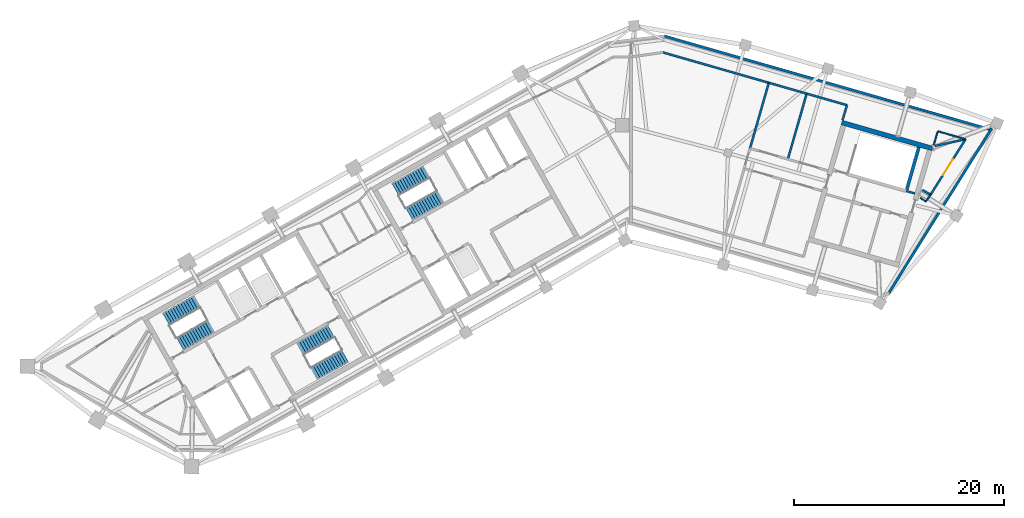
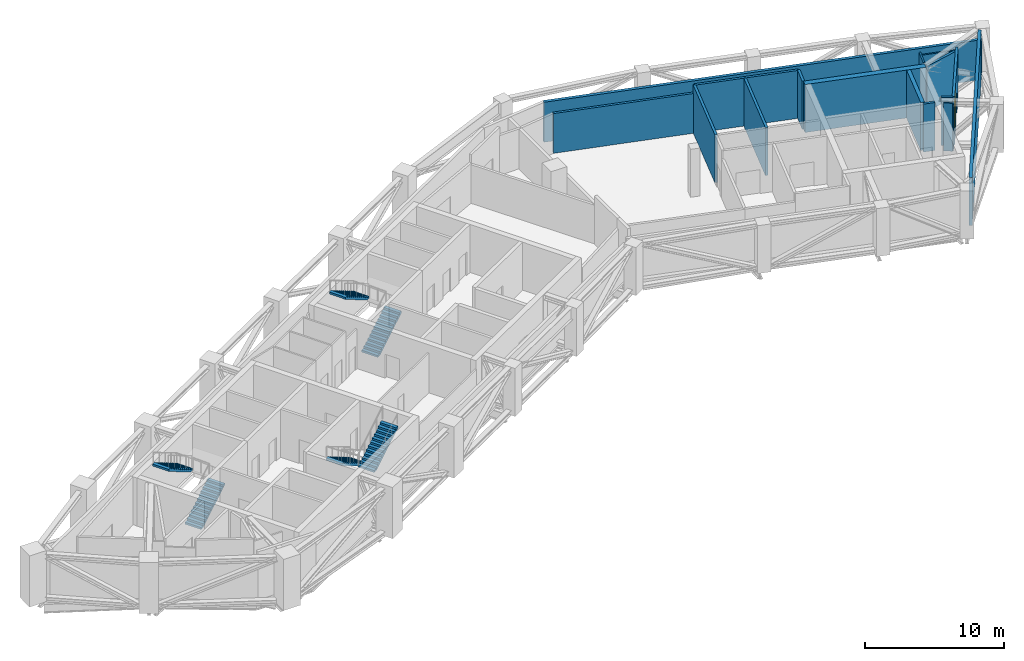
# One storey, part 11 of 13: 18 walls, 6 stair flights, 1 door, 1 opening, 3 elements without a shape of their own.
"""IFC4 building model written with IfcOpenShell, lengths in metres."""

from ifc_helpers import new_model, si_unit, direction, frame, frame_2d, origin, place, context, subcontext, project, spatial, polyline, rectangle, outline, extrude, material, layer, layer_set, type_object, element, fill, aggregate, save


model = new_model("IFC4")

# Units and contexts
model_context = context("Model", 3, precision=1e-05, world=origin(), true_north=direction((0.0, 1.0)))
body_context = subcontext(model_context, "Body", "Model", "MODEL_VIEW")
ifc_project = project(units=[si_unit("LENGTHUNIT", "METRE"), si_unit("AREAUNIT", "SQUARE_METRE"), si_unit("VOLUMEUNIT", "CUBIC_METRE"), si_unit("PLANEANGLEUNIT", "RADIAN"), si_unit("MASSUNIT", "GRAM", prefix="KILO")], contexts=[model_context])

# Site, building, storey
site_placement = place(None, origin())
site = spatial("IfcSite", under=ifc_project, at=site_placement, CompositionType="ELEMENT")
building_placement = place(site_placement, origin())
building = spatial("IfcBuilding", under=site, at=building_placement, Name="Binnacle Exchange Tower", CompositionType="ELEMENT")
storey_placement = place(building_placement, frame((0.0, 0.0, 258.199951171875)))
storey = spatial("IfcBuildingStorey", under=building, at=storey_placement, Name="L57", CompositionType="ELEMENT", Elevation=258.199951171875)

# Walls
ifc_material_1 = material(Name="Concrete C70/85", Category="concrete")
ifc_layer_1 = layer(ifc_material_1, 0.449951171875)
ifc_layer_set_1 = layer_set([ifc_layer_1], Name="Core wall - outer 450")
wall_type_1 = type_object("IfcWallType", Name="Core wall - outer 450", PredefinedType="SOLIDWALL", material=ifc_layer_set_1)
wall_1_placement = place(storey_placement, frame((20.073486328125, 60.251708984375, 0.0), z_axis=(0.0, 0.0, 1.0), x_axis=(0.96126248289, -0.275634611374, 0.0)))
element("IfcWall", 1, at=wall_1_placement, inside=storey, type_object=wall_type_1, Name="Core wall CRWD6", PredefinedType="SOLIDWALL", context=body_context, shape_type="SweptSolid", body=[
    extrude(rectangle(XDim=9.0, YDim=0.449951171875, at=frame_2d((4.5, 0.0))), origin(), (0.0, 0.0, 1.0), 4.219970703125),
])
ifc_layer_2 = layer(ifc_material_1, 0.300048828125)
ifc_layer_set_2 = layer_set([ifc_layer_2], Name="Core wall - stair 300")
wall_type_2 = type_object("IfcWallType", Name="Core wall - stair 300", PredefinedType="SOLIDWALL", material=ifc_layer_set_2)
wall_2_placement = place(storey_placement, frame((26.255615234375, 53.875732421875, 0.0), z_axis=(0.0, 0.0, 1.0), x_axis=(0.275588560745, 0.96127568636, 0.0)))
element("IfcWall", 2, at=wall_2_placement, inside=storey, type_object=wall_type_2, Name="Core wall CRWD11", PredefinedType="SOLIDWALL", context=body_context, shape_type="SweptSolid", body=[
    extrude(rectangle(XDim=4.199951171875, YDim=0.300048828125, at=frame_2d((2.10009765625, 0.0))), origin(), (0.0, 0.0, 1.0), 4.219970703125),
])
ifc_material_2 = material(Name="Bronze aluminium louvre", Category="aluminium")
ifc_layer_3 = layer(ifc_material_2, 0.25)
ifc_layer_set_3 = layer_set([ifc_layer_3], Name="External wall - plant floor louvre 250")
wall_type_3 = type_object("IfcWallType", Name="External wall - plant floor louvre 250", PredefinedType="STANDARD", material=ifc_layer_set_3)
wall_3_placement = place(storey_placement, frame((34.364013671875, 59.71142578125, 0.0), z_axis=(0.0, 0.0, 1.0), x_axis=(-0.529923238965, -0.848045612455, 0.0)))
element("IfcWall", 3, at=wall_3_placement, inside=storey, type_object=wall_type_3, Name="External wall EW-Gm03 L57", PredefinedType="STANDARD", context=body_context, shape_type="SweptSolid", body=[
    extrude(rectangle(XDim=18.5537109375, YDim=0.25, at=frame_2d((9.27685546875, 0.0))), origin(), (0.0, 0.0, 1.0), 4.219970703125),
])
wall_4_placement = place(storey_placement, frame((3.134521484375, 68.50048828125, 0.0), z_axis=(0.0, 0.0, 1.0), x_axis=(0.961262369705, -0.275635006103, 0.0)))
element("IfcWall", 4, at=wall_4_placement, inside=storey, type_object=wall_type_3, Name="External wall EW-Gm04 L57", PredefinedType="STANDARD", context=body_context, shape_type="SweptSolid", body=[
    extrude(rectangle(XDim=32.5625, YDim=0.25, at=frame_2d((16.28125, 0.0))), origin(), (0.0, 0.0, 1.0), 3.52001953125),
])
ifc_material_3 = material(Name="Masonry block wall", Category="masonry")
ifc_layer_4 = layer(ifc_material_3, 0.199951171875)
ifc_layer_set_4 = layer_set([ifc_layer_4], Name="Fire wall - block 200")
wall_type_4 = type_object("IfcWallType", Name="Fire wall - block 200", PredefinedType="PARTITIONING", material=ifc_layer_set_4)
wall_5_placement = place(storey_placement, frame((3.029052734375, 66.93408203125, 0.0), z_axis=(0.0, 0.0, 1.0), x_axis=(0.961263796718, -0.275630029421, 0.0)))
element("IfcWall", 5, at=wall_5_placement, inside=storey, type_object=wall_type_4, Name="Partition W37", PredefinedType="PARTITIONING", context=body_context, shape_type="SweptSolid", body=[
    extrude(rectangle(XDim=10.499755859375, YDim=0.199951171875, at=frame_2d((5.25, 0.0))), origin(), (0.0, 0.0, 1.0), 3.5),
])
wall_6_placement = place(storey_placement, frame((11.330078125, 57.791015625, 0.0), z_axis=(0.0, 0.0, 1.0), x_axis=(0.27565349575, 0.96125706774, 0.0)))
element("IfcWall", 6, at=wall_6_placement, inside=storey, type_object=wall_type_4, Name="Partition W42", PredefinedType="PARTITIONING", context=body_context, shape_type="SweptSolid", body=[
    extrude(rectangle(XDim=6.5009765625, YDim=0.199951171875, at=frame_2d((3.25048828125, 0.0))), origin(), (0.0, 0.0, 1.0), 4.219970703125),
])
wall_7_placement = place(storey_placement, frame((13.1220703125, 64.0400390625, 0.0), z_axis=(0.0, 0.0, 1.0), x_axis=(0.961245866545, -0.275692553489, 0.0)))
element("IfcWall", 7, at=wall_7_placement, inside=storey, type_object=wall_type_4, Name="Partition W46", PredefinedType="PARTITIONING", context=body_context, shape_type="SweptSolid", body=[
    extrude(rectangle(XDim=3.750244140625, YDim=0.199951171875, at=frame_2d((1.875, 0.0))), origin(), (0.0, 0.0, 1.0), 4.219970703125),
])
wall_8_placement = place(storey_placement, frame((14.93505859375, 56.758056640625, 0.0), z_axis=(0.0, 0.0, 1.0), x_axis=(0.275693305607, 0.961245650832, 0.0)))
element("IfcWall", 8, at=wall_8_placement, inside=storey, type_object=wall_type_4, Name="Partition W48", PredefinedType="PARTITIONING", context=body_context, shape_type="SweptSolid", body=[
    extrude(rectangle(XDim=6.5, YDim=0.199951171875, at=frame_2d((3.25, 0.0))), origin(), (0.0, 0.0, 1.0), 4.219970703125),
])
wall_9_placement = place(storey_placement, frame((16.72705078125, 63.006103515625, 0.0), z_axis=(0.0, 0.0, 1.0), x_axis=(0.961293276216, -0.275527198479, 0.0)))
element("IfcWall", 9, at=wall_9_placement, inside=storey, type_object=wall_type_4, Name="Partition W51", PredefinedType="PARTITIONING", context=body_context, shape_type="SweptSolid", body=[
    extrude(rectangle(XDim=3.999755859375, YDim=0.199951171875, at=frame_2d((2.0, 0.0))), origin(), (0.0, 0.0, 1.0), 4.219970703125),
])
wall_10_placement = place(storey_placement, frame((20.135986328125, 60.468017578125, 0.0), z_axis=(0.0, 0.0, 1.0), x_axis=(0.290540119102, 0.956862811061, 0.0)))
element("IfcWall", 10, at=wall_10_placement, inside=storey, type_object=wall_type_4, Name="Partition W52", PredefinedType="PARTITIONING", context=body_context, shape_type="SweptSolid", body=[
    extrude(rectangle(XDim=1.500732421875, YDim=0.199951171875, at=frame_2d((0.75048828125, 0.0))), origin(), (0.0, 0.0, 1.0), 4.219970703125),
])
wall_11_placement = place(storey_placement, frame((27.75, 53.824951171875, 0.0), z_axis=(0.0, 0.0, 1.0), x_axis=(0.868208945987, -0.49619877681, 0.0)))
element("IfcWall", 11, at=wall_11_placement, inside=storey, type_object=wall_type_4, Name="Partition W54", PredefinedType="PARTITIONING", context=body_context, shape_type="SweptSolid", body=[
    extrude(rectangle(XDim=0.878662109375, YDim=0.199951171875, at=frame_2d((0.439453125, 0.0))), origin(), (0.0, 0.0, 1.0), 4.219970703125),
])

# Wall, opening, door
wall_12_placement = place(storey_placement, frame((28.530029296875, 53.3798828125, 0.0), z_axis=(0.0, 0.0, 1.0), x_axis=(0.533757818775, 0.845637387357, 0.0)))
wall_12 = element("IfcWall", 12, at=wall_12_placement, inside=storey, type_object=wall_type_4, Name="Partition W56", PredefinedType="PARTITIONING", context=body_context, shape_type="SweptSolid", body=[
    extrude(rectangle(XDim=6.25, YDim=0.199951171875, at=frame_2d((3.125, 0.0))), origin(), (0.0, 0.0, 1.0), 4.219970703125),
])
opening_placement = place(wall_12_placement, frame((2.199951171875, 0.0, 0.0)))
opening = element("IfcOpeningElement", 13, at=opening_placement, cuts=wall_12, Name="Opening DL57-15", PredefinedType="OPENING", context=body_context, shape_type="SweptSolid", body=[
    extrude(rectangle(XDim=1.800048828125, YDim=2.10009765625, at=frame_2d((0.89990234375, 1.050048828125))), frame((0.0, 0.10986328125, 0.0), z_axis=(0.0, -1.0, 0.0), x_axis=(1.0, 0.0, 0.0)), (0.0, 0.0, 1.0), 0.219970703125),
])
ifc_material_4 = material(Name="Steel door leaf", Category="steel")
door_type = type_object("IfcDoorType", Name="Fire door 1800", OperationType="NOTDEFINED", PredefinedType="DOOR", material=ifc_material_4)
door_placement = place(opening_placement, origin())
door = element("IfcDoor", 14, at=door_placement, inside=storey, type_object=door_type, Name="Door DL57-15", OperationType="DOUBLE_DOOR_SINGLE_SWING", OverallHeight=2.10009765625, OverallWidth=1.800048828125, PredefinedType="DOOR", context=body_context, shape_type="SweptSolid", body=[
    extrude(rectangle(XDim=1.800048828125, YDim=2.10009765625, at=frame_2d((0.89990234375, 1.050048828125))), frame((0.0, 0.02490234375, 0.0), z_axis=(0.0, -1.0, 0.0), x_axis=(1.0, 0.0, 0.0)), (0.0, 0.0, 1.0), 0.050048828125),
])
fill(opening, door)

# Walls
wall_13_placement = place(storey_placement, frame((28.93310546875, 58.02001953125, 0.0), z_axis=(0.0, 0.0, 1.0), x_axis=(0.976692706785, 0.214642392164, 0.0)))
element("IfcWall", 15, at=wall_13_placement, inside=storey, type_object=wall_type_4, Name="Partition W58", PredefinedType="PARTITIONING", context=body_context, shape_type="SweptSolid", body=[
    extrude(rectangle(XDim=2.97216796875, YDim=0.199951171875, at=frame_2d((1.486083984375, 0.0))), origin(), (0.0, 0.0, 1.0), 3.970947265625),
])
ifc_material_5 = material(Name="Gypsum partition")
ifc_layer_5 = layer(ifc_material_5, 0.125)
ifc_layer_set_5 = layer_set([ifc_layer_5], Name="Partition 125")
wall_type_5 = type_object("IfcWallType", Name="Partition 125", PredefinedType="PARTITIONING", material=ifc_layer_set_5)
wall_14_placement = place(storey_placement, frame((27.5400390625, 53.093017578125, 0.0), z_axis=(0.0, 0.0, 1.0), x_axis=(0.829228861546, -0.558909201195, 0.0)))
element("IfcWall", 16, at=wall_14_placement, inside=storey, type_object=wall_type_5, Name="Partition W53", PredefinedType="PARTITIONING", context=body_context, shape_type="SweptSolid", body=[
    extrude(rectangle(XDim=0.65478515625, YDim=0.125, at=frame_2d((0.327392578125, 0.0))), origin(), (0.0, 0.0, 1.0), 4.219970703125),
])
wall_15_placement = place(storey_placement, frame((28.0830078125, 52.72705078125, 0.0), z_axis=(0.0, 0.0, 1.0), x_axis=(0.565759162709, 0.824570536589, 0.0)))
element("IfcWall", 17, at=wall_15_placement, inside=storey, type_object=wall_type_5, Name="Partition W55", PredefinedType="PARTITIONING", context=body_context, shape_type="SweptSolid", body=[
    extrude(rectangle(XDim=0.781005859375, YDim=0.125, at=frame_2d((0.390625, 0.0))), origin(), (0.0, 0.0, 1.0), 3.970947265625),
])
wall_16_placement = place(storey_placement, frame((28.830078125, 58.131103515625, 0.0), z_axis=(0.0, 0.0, 1.0), x_axis=(0.290895420136, 0.956754856034, 0.0)))
element("IfcWall", 18, at=wall_16_placement, inside=storey, type_object=wall_type_5, Name="Partition W57", PredefinedType="PARTITIONING", context=body_context, shape_type="SweptSolid", body=[
    extrude(rectangle(XDim=1.350341796875, YDim=0.125, at=frame_2d((0.67529296875, 0.0))), origin(), (0.0, 0.0, 1.0), 4.219970703125),
])
wall_17_placement = place(storey_placement, frame((29.222900390625, 59.423095703125, 0.0), z_axis=(0.0, 0.0, 1.0), x_axis=(0.96116189926, -0.275985150709, 0.0)))
element("IfcWall", 19, at=wall_17_placement, inside=storey, type_object=wall_type_5, Name="Partition W59", PredefinedType="PARTITIONING", context=body_context, shape_type="SweptSolid", body=[
    extrude(rectangle(XDim=2.72900390625, YDim=0.125, at=frame_2d((1.364501953125, 0.0))), origin(), (0.0, 0.0, 1.0), 3.970947265625),
])
ifc_layer_6 = layer(ifc_material_3, 0.199951171875)
ifc_layer_set_6 = layer_set([ifc_layer_6], Name="Riser wall 200")
wall_type_6 = type_object("IfcWallType", Name="Riser wall 200", PredefinedType="SOLIDWALL", material=ifc_layer_set_6)
wall_18_placement = place(storey_placement, frame((26.214111328125, 53.731689453125, 0.0), z_axis=(0.0, 0.0, 1.0), x_axis=(0.961241665642, -0.275707200184, 0.0)))
element("IfcWall", 20, at=wall_18_placement, inside=storey, type_object=wall_type_6, Name="Core wall CRWD5", PredefinedType="SOLIDWALL", context=body_context, shape_type="SweptSolid", body=[
    extrude(rectangle(XDim=0.85009765625, YDim=0.199951171875, at=frame_2d((0.425048828125, 0.0))), origin(), (0.0, 0.0, 1.0), 4.219970703125),
])

# Stair, stair flights
ifc_material_6 = material(Name="Concrete C35/45", Category="concrete")
stair_type = type_object("IfcStairType", Name="STAIR 26 RISERS 173", PredefinedType="HALF_TURN_STAIR", material=ifc_material_6)
stair_1_placement = place(storey_placement, origin())
stair_1 = element("IfcStair", 21, at=stair_1_placement, inside=storey, type_object=stair_type, Name="L57 Escape stair A1", PredefinedType="HALF_TURN_STAIR")
stair_flight_type = type_object("IfcStairFlightType", Name="STAIR FLIGHT 173X280", PredefinedType="STRAIGHT", material=ifc_material_6)
stair_flight_1_placement = place(storey_placement, frame((-42.9541015625, 39.17333984375, 0.0), z_axis=(0.0, 0.0, 1.0), x_axis=(0.870355584213, 0.492423757581, 0.0)))
stair_flight_1 = element("IfcStairFlight", 22, at=stair_flight_1_placement, type_object=stair_flight_type, Name="STA1 flight 1", NumberOfRisers=13, NumberOfTreads=12, PredefinedType="STRAIGHT", RiserHeight=0.173076923, TreadLength=0.28, context=body_context, shape_type="SweptSolid", body=[
    extrude(outline(polyline([(0.0, 0.0), (0.0, 0.173095703125), (0.280029296875, 0.173095703125), (0.280029296875, 0.34619140625), (0.56005859375, 0.34619140625), (0.56005859375, 0.519287109375), (0.840087890625, 0.519287109375), (0.840087890625, 0.6923828125), (1.1201171875, 0.6923828125), (1.1201171875, 0.865478515625), (1.39990234375, 0.865478515625), (1.39990234375, 1.03857421875), (1.679931640625, 1.03857421875), (1.679931640625, 1.21142578125), (1.9599609375, 1.21142578125), (1.9599609375, 1.384521484375), (2.239990234375, 1.384521484375), (2.239990234375, 1.5576171875), (2.52001953125, 1.5576171875), (2.52001953125, 1.730712890625), (2.800048828125, 1.730712890625), (2.800048828125, 1.90380859375), (3.080078125, 1.90380859375), (3.080078125, 2.076904296875), (3.360107421875, 2.076904296875), (3.360107421875, 2.25), (3.360107421875, 1.900634765625), (0.28515625, 0.0), (0.0, 0.0)])), frame((0.0, 0.675048828125, 0.0), z_axis=(0.0, -1.0, 0.0), x_axis=(1.0, 0.0, 0.0)), (0.0, 0.0, 1.0), 1.35009765625),
])
stair_flight_2_placement = place(storey_placement, frame((-41.359130859375, 43.177978515625, 2.25), z_axis=(0.0, 0.0, 1.0), x_axis=(-0.870355584213, -0.492423757581, 0.0)))
stair_flight_2 = element("IfcStairFlight", 23, at=stair_flight_2_placement, type_object=stair_flight_type, Name="STA1 flight 2", NumberOfRisers=13, NumberOfTreads=12, PredefinedType="STRAIGHT", RiserHeight=0.173076923, TreadLength=0.28, context=body_context, shape_type="SweptSolid", body=[
    extrude(outline(polyline([(0.0, 0.0), (0.0, 0.173095703125), (0.280029296875, 0.173095703125), (0.280029296875, 0.34619140625), (0.56005859375, 0.34619140625), (0.56005859375, 0.519287109375), (0.840087890625, 0.519287109375), (0.840087890625, 0.6923828125), (1.1201171875, 0.6923828125), (1.1201171875, 0.865478515625), (1.39990234375, 0.865478515625), (1.39990234375, 1.03857421875), (1.679931640625, 1.03857421875), (1.679931640625, 1.21142578125), (1.9599609375, 1.21142578125), (1.9599609375, 1.384521484375), (2.239990234375, 1.384521484375), (2.239990234375, 1.5576171875), (2.52001953125, 1.5576171875), (2.52001953125, 1.730712890625), (2.800048828125, 1.730712890625), (2.800048828125, 1.90380859375), (3.080078125, 1.90380859375), (3.080078125, 2.076904296875), (3.360107421875, 2.076904296875), (3.360107421875, 2.25), (3.360107421875, 1.900634765625), (0.28515625, 0.0), (0.0, 0.0)])), frame((0.0, 0.675048828125, 0.0), z_axis=(0.0, -1.0, 0.0), x_axis=(1.0, 0.0, 0.0)), (0.0, 0.0, 1.0), 1.35009765625),
])
aggregate(stair_1, [stair_flight_1, stair_flight_2])

stair_2_placement = place(storey_placement, origin())
stair_2 = element("IfcStair", 24, at=stair_2_placement, inside=storey, type_object=stair_type, Name="L57 Escape stair A2", PredefinedType="HALF_TURN_STAIR")
stair_flight_3_placement = place(storey_placement, frame((-28.5732421875, 40.3583984375, 0.0), z_axis=(0.0, 0.0, 1.0), x_axis=(-0.870355584213, -0.492423757581, 0.0)))
stair_flight_3 = element("IfcStairFlight", 25, at=stair_flight_3_placement, type_object=stair_flight_type, Name="STA2 flight 1", NumberOfRisers=13, NumberOfTreads=12, PredefinedType="STRAIGHT", RiserHeight=0.173076923, TreadLength=0.28, context=body_context, shape_type="SweptSolid", body=[
    extrude(outline(polyline([(0.0, 0.0), (0.0, 0.173095703125), (0.280029296875, 0.173095703125), (0.280029296875, 0.34619140625), (0.56005859375, 0.34619140625), (0.56005859375, 0.519287109375), (0.840087890625, 0.519287109375), (0.840087890625, 0.6923828125), (1.1201171875, 0.6923828125), (1.1201171875, 0.865478515625), (1.39990234375, 0.865478515625), (1.39990234375, 1.03857421875), (1.679931640625, 1.03857421875), (1.679931640625, 1.21142578125), (1.9599609375, 1.21142578125), (1.9599609375, 1.384521484375), (2.239990234375, 1.384521484375), (2.239990234375, 1.5576171875), (2.52001953125, 1.5576171875), (2.52001953125, 1.730712890625), (2.800048828125, 1.730712890625), (2.800048828125, 1.90380859375), (3.080078125, 1.90380859375), (3.080078125, 2.076904296875), (3.360107421875, 2.076904296875), (3.360107421875, 2.25), (3.360107421875, 1.900634765625), (0.28515625, 0.0), (0.0, 0.0)])), frame((0.0, 0.675048828125, 0.0), z_axis=(0.0, -1.0, 0.0), x_axis=(1.0, 0.0, 0.0)), (0.0, 0.0, 1.0), 1.35009765625),
])
stair_flight_4_placement = place(storey_placement, frame((-30.16796875, 36.35400390625, 2.25), z_axis=(0.0, 0.0, 1.0), x_axis=(0.870355584213, 0.492423757581, 0.0)))
stair_flight_4 = element("IfcStairFlight", 26, at=stair_flight_4_placement, type_object=stair_flight_type, Name="STA2 flight 2", NumberOfRisers=13, NumberOfTreads=12, PredefinedType="STRAIGHT", RiserHeight=0.173076923, TreadLength=0.28, context=body_context, shape_type="SweptSolid", body=[
    extrude(outline(polyline([(0.0, 0.0), (0.0, 0.173095703125), (0.280029296875, 0.173095703125), (0.280029296875, 0.34619140625), (0.56005859375, 0.34619140625), (0.56005859375, 0.519287109375), (0.840087890625, 0.519287109375), (0.840087890625, 0.6923828125), (1.1201171875, 0.6923828125), (1.1201171875, 0.865478515625), (1.39990234375, 0.865478515625), (1.39990234375, 1.03857421875), (1.679931640625, 1.03857421875), (1.679931640625, 1.21142578125), (1.9599609375, 1.21142578125), (1.9599609375, 1.384521484375), (2.239990234375, 1.384521484375), (2.239990234375, 1.5576171875), (2.52001953125, 1.5576171875), (2.52001953125, 1.730712890625), (2.800048828125, 1.730712890625), (2.800048828125, 1.90380859375), (3.080078125, 1.90380859375), (3.080078125, 2.076904296875), (3.360107421875, 2.076904296875), (3.360107421875, 2.25), (3.360107421875, 1.900634765625), (0.28515625, 0.0), (0.0, 0.0)])), frame((0.0, 0.675048828125, 0.0), z_axis=(0.0, -1.0, 0.0), x_axis=(1.0, 0.0, 0.0)), (0.0, 0.0, 1.0), 1.35009765625),
])
aggregate(stair_2, [stair_flight_3, stair_flight_4])

stair_3_placement = place(storey_placement, origin())
stair_3 = element("IfcStair", 27, at=stair_3_placement, inside=storey, type_object=stair_type, Name="L57 Escape stair C1", PredefinedType="HALF_TURN_STAIR")
stair_flight_5_placement = place(storey_placement, frame((-21.115966796875, 51.528564453125, 0.0), z_axis=(0.0, 0.0, 1.0), x_axis=(0.870355584213, 0.492423757581, 0.0)))
stair_flight_5 = element("IfcStairFlight", 28, at=stair_flight_5_placement, type_object=stair_flight_type, Name="STC1 flight 1", NumberOfRisers=13, NumberOfTreads=12, PredefinedType="STRAIGHT", RiserHeight=0.173076923, TreadLength=0.28, context=body_context, shape_type="SweptSolid", body=[
    extrude(outline(polyline([(0.0, 0.0), (0.0, 0.173095703125), (0.280029296875, 0.173095703125), (0.280029296875, 0.34619140625), (0.56005859375, 0.34619140625), (0.56005859375, 0.519287109375), (0.840087890625, 0.519287109375), (0.840087890625, 0.6923828125), (1.1201171875, 0.6923828125), (1.1201171875, 0.865478515625), (1.39990234375, 0.865478515625), (1.39990234375, 1.03857421875), (1.679931640625, 1.03857421875), (1.679931640625, 1.21142578125), (1.9599609375, 1.21142578125), (1.9599609375, 1.384521484375), (2.239990234375, 1.384521484375), (2.239990234375, 1.5576171875), (2.52001953125, 1.5576171875), (2.52001953125, 1.730712890625), (2.800048828125, 1.730712890625), (2.800048828125, 1.90380859375), (3.080078125, 1.90380859375), (3.080078125, 2.076904296875), (3.360107421875, 2.076904296875), (3.360107421875, 2.25), (3.360107421875, 1.900634765625), (0.28515625, 0.0), (0.0, 0.0)])), frame((0.0, 0.675048828125, 0.0), z_axis=(0.0, -1.0, 0.0), x_axis=(1.0, 0.0, 0.0)), (0.0, 0.0, 1.0), 1.35009765625),
])
stair_flight_6_placement = place(storey_placement, frame((-19.521240234375, 55.533203125, 2.25), z_axis=(0.0, 0.0, 1.0), x_axis=(-0.870355584213, -0.492423757581, 0.0)))
stair_flight_6 = element("IfcStairFlight", 29, at=stair_flight_6_placement, type_object=stair_flight_type, Name="STC1 flight 2", NumberOfRisers=13, NumberOfTreads=12, PredefinedType="STRAIGHT", RiserHeight=0.173076923, TreadLength=0.28, context=body_context, shape_type="SweptSolid", body=[
    extrude(outline(polyline([(0.0, 0.0), (0.0, 0.173095703125), (0.280029296875, 0.173095703125), (0.280029296875, 0.34619140625), (0.56005859375, 0.34619140625), (0.56005859375, 0.519287109375), (0.840087890625, 0.519287109375), (0.840087890625, 0.6923828125), (1.1201171875, 0.6923828125), (1.1201171875, 0.865478515625), (1.39990234375, 0.865478515625), (1.39990234375, 1.03857421875), (1.679931640625, 1.03857421875), (1.679931640625, 1.21142578125), (1.9599609375, 1.21142578125), (1.9599609375, 1.384521484375), (2.239990234375, 1.384521484375), (2.239990234375, 1.5576171875), (2.52001953125, 1.5576171875), (2.52001953125, 1.730712890625), (2.800048828125, 1.730712890625), (2.800048828125, 1.90380859375), (3.080078125, 1.90380859375), (3.080078125, 2.076904296875), (3.360107421875, 2.076904296875), (3.360107421875, 2.25), (3.360107421875, 1.900634765625), (0.28515625, 0.0), (0.0, 0.0)])), frame((0.0, 0.675048828125, 0.0), z_axis=(0.0, -1.0, 0.0), x_axis=(1.0, 0.0, 0.0)), (0.0, 0.0, 1.0), 1.35009765625),
])
aggregate(stair_3, [stair_flight_5, stair_flight_6])

save(model, "model.ifc")
